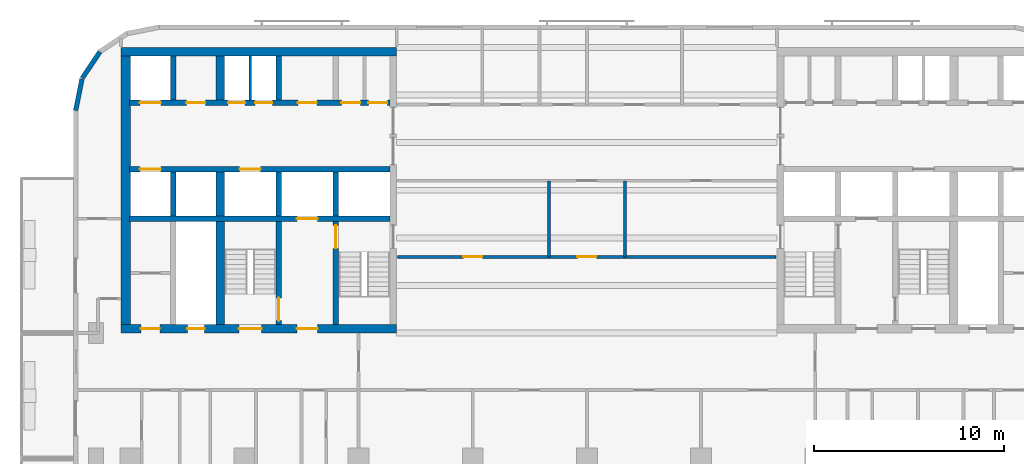
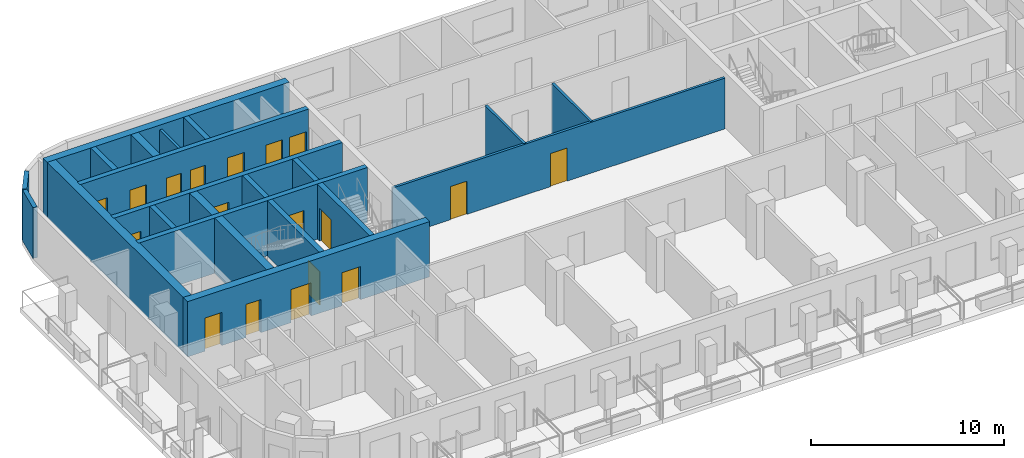
# One storey, part 4 of 12: 22 walls, 18 doors, 18 openings.
"""IFC4 building model written with IfcOpenShell, lengths in metres."""

from ifc_helpers import new_model, si_unit, direction, frame, frame_2d, origin, place, context, subcontext, project, spatial, rectangle, extrude, material, layer, layer_set, type_object, element, fill, save


model = new_model("IFC4")

# Units and contexts
model_context = context("Model", 3, precision=1e-05, world=origin(), true_north=direction((0.0, 1.0)))
body_context = subcontext(model_context, "Body", "Model", "MODEL_VIEW")
ifc_project = project(units=[si_unit("LENGTHUNIT", "METRE"), si_unit("AREAUNIT", "SQUARE_METRE"), si_unit("VOLUMEUNIT", "CUBIC_METRE"), si_unit("PLANEANGLEUNIT", "RADIAN"), si_unit("MASSUNIT", "GRAM", prefix="KILO")], contexts=[model_context])

# Site, building, storey
site_placement = place(None, origin())
site = spatial("IfcSite", under=ifc_project, at=site_placement, CompositionType="ELEMENT")
building_placement = place(site_placement, origin())
building = spatial("IfcBuilding", under=site, at=building_placement, Name="Torana Hotel and Residences", CompositionType="ELEMENT")
storey_placement = place(building_placement, frame((0.0, 0.0, 197.60009765625)))
storey = spatial("IfcBuildingStorey", under=building, at=storey_placement, Name="L51", CompositionType="ELEMENT", Elevation=197.60009765625)

# Wall, openings, doors
ifc_material_1 = material(Name="Concrete C70/85", Category="concrete")
ifc_layer_1 = layer(ifc_material_1, 0.300048828125)
ifc_layer_set_1 = layer_set([ifc_layer_1], Name="CORE WALL 300 C70/85")
wall_type_1 = type_object("IfcWallType", Name="CORE WALL 300 C70/85", PredefinedType="SHEAR", material=ifc_layer_set_1)
wall_1_placement = place(storey_placement, frame((-24.050048828125, -2.89990234375, 0.0), z_axis=(0.0, 0.0, 1.0), x_axis=(1.0, 0.0, 0.0)))
wall_1 = element("IfcWall", 1, at=wall_1_placement, inside=storey, type_object=wall_type_1, Name="Core wall W row-N", PredefinedType="SHEAR", context=body_context, shape_type="SweptSolid", body=[
    extrude(rectangle(XDim=13.699951171875, YDim=0.300048828125, at=frame_2d((6.85009765625, 0.0))), origin(), (0.0, 0.0, 1.0), 3.5),
])
opening_1_placement = place(wall_1_placement, frame((0.550048828125, 0.0, 0.0)))
opening_1 = element("IfcOpeningElement", 2, at=opening_1_placement, cuts=wall_1, Name="Opening LD", PredefinedType="OPENING", context=body_context, shape_type="SweptSolid", body=[
    extrude(rectangle(XDim=1.10009765625, YDim=2.10009765625, at=frame_2d((0.550048828125, 1.050048828125))), frame((0.0, 0.159912109375, 0.0), z_axis=(0.0, -1.0, 0.0), x_axis=(1.0, 0.0, 0.0)), (0.0, 0.0, 1.0), 0.320068359375),
])
opening_2_placement = place(wall_1_placement, frame((6.612548828125, 0.0, 0.0)))
opening_2 = element("IfcOpeningElement", 3, at=opening_2_placement, cuts=wall_1, Name="Opening L51-08", PredefinedType="OPENING", context=body_context, shape_type="SweptSolid", body=[
    extrude(rectangle(XDim=0.89990234375, YDim=2.10009765625, at=frame_2d((0.449951171875, 1.050048828125))), frame((0.0, 0.159912109375, 0.0), z_axis=(0.0, -1.0, 0.0), x_axis=(1.0, 0.0, 0.0)), (0.0, 0.0, 1.0), 0.320068359375),
])
opening_3_placement = place(wall_1_placement, frame((5.1875, 0.0, 0.0)))
opening_3 = element("IfcOpeningElement", 4, at=opening_3_placement, cuts=wall_1, Name="Opening L51-09", PredefinedType="OPENING", context=body_context, shape_type="SweptSolid", body=[
    extrude(rectangle(XDim=0.89990234375, YDim=2.10009765625, at=frame_2d((0.449951171875, 1.050048828125))), frame((0.0, 0.159912109375, 0.0), z_axis=(0.0, -1.0, 0.0), x_axis=(1.0, 0.0, 0.0)), (0.0, 0.0, 1.0), 0.320068359375),
])
opening_4_placement = place(wall_1_placement, frame((12.5625, 0.0, 0.0)))
opening_4 = element("IfcOpeningElement", 5, at=opening_4_placement, cuts=wall_1, Name="Opening L51-10", PredefinedType="OPENING", context=body_context, shape_type="SweptSolid", body=[
    extrude(rectangle(XDim=1.0, YDim=2.10009765625, at=frame_2d((0.5, 1.050048828125))), frame((0.0, 0.159912109375, 0.0), z_axis=(0.0, -1.0, 0.0), x_axis=(1.0, 0.0, 0.0)), (0.0, 0.0, 1.0), 0.320068359375),
])
opening_5_placement = place(wall_1_placement, frame((11.137451171875, 0.0, 0.0)))
opening_5 = element("IfcOpeningElement", 6, at=opening_5_placement, cuts=wall_1, Name="Opening L51-11", PredefinedType="OPENING", context=body_context, shape_type="SweptSolid", body=[
    extrude(rectangle(XDim=1.0, YDim=2.10009765625, at=frame_2d((0.5, 1.050048828125))), frame((0.0, 0.159912109375, 0.0), z_axis=(0.0, -1.0, 0.0), x_axis=(1.0, 0.0, 0.0)), (0.0, 0.0, 1.0), 0.320068359375),
])
opening_6_placement = place(wall_1_placement, frame((8.85009765625, 0.0, 0.0)))
opening_6 = element("IfcOpeningElement", 7, at=opening_6_placement, cuts=wall_1, Name="Opening L51-12", PredefinedType="OPENING", context=body_context, shape_type="SweptSolid", body=[
    extrude(rectangle(XDim=1.0, YDim=2.10009765625, at=frame_2d((0.5, 1.050048828125))), frame((0.0, 0.159912109375, 0.0), z_axis=(0.0, -1.0, 0.0), x_axis=(1.0, 0.0, 0.0)), (0.0, 0.0, 1.0), 0.320068359375),
])
opening_7_placement = place(wall_1_placement, frame((3.0, 0.0, 0.0)))
opening_7 = element("IfcOpeningElement", 8, at=opening_7_placement, cuts=wall_1, Name="Opening L51-13", PredefinedType="OPENING", context=body_context, shape_type="SweptSolid", body=[
    extrude(rectangle(XDim=1.0, YDim=2.10009765625, at=frame_2d((0.5, 1.050048828125))), frame((0.0, 0.159912109375, 0.0), z_axis=(0.0, -1.0, 0.0), x_axis=(1.0, 0.0, 0.0)), (0.0, 0.0, 1.0), 0.320068359375),
])
ifc_material_2 = material(Name="Steel S235", Category="steel")
door_type_1 = type_object("IfcDoorType", Name="CORE ROOM FIRE DOOR D14 1000x2100", OperationType="SINGLE_SWING_LEFT", PredefinedType="DOOR", material=ifc_material_2)
door_1_placement = place(opening_4_placement, origin())
door_1 = element("IfcDoor", 9, at=door_1_placement, inside=storey, type_object=door_type_1, Name="N0A door L51", OperationType="SINGLE_SWING_RIGHT", OverallHeight=2.10009765625, OverallWidth=1.0, PredefinedType="DOOR", context=body_context, shape_type="SweptSolid", body=[
    extrude(rectangle(XDim=1.0, YDim=2.10009765625, at=frame_2d((0.5, 1.050048828125))), frame((0.0, 0.02490234375, 0.0), z_axis=(0.0, -1.0, 0.0), x_axis=(1.0, 0.0, 0.0)), (0.0, 0.0, 1.0), 0.050048828125),
])
fill(opening_4, door_1)
door_2_placement = place(opening_5_placement, origin())
door_2 = element("IfcDoor", 10, at=door_2_placement, inside=storey, type_object=door_type_1, Name="N0B door L51", OperationType="SINGLE_SWING_RIGHT", OverallHeight=2.10009765625, OverallWidth=1.0, PredefinedType="DOOR", context=body_context, shape_type="SweptSolid", body=[
    extrude(rectangle(XDim=1.0, YDim=2.10009765625, at=frame_2d((0.5, 1.050048828125))), frame((0.0, 0.02490234375, 0.0), z_axis=(0.0, -1.0, 0.0), x_axis=(1.0, 0.0, 0.0)), (0.0, 0.0, 1.0), 0.050048828125),
])
fill(opening_5, door_2)
door_3_placement = place(opening_6_placement, origin())
door_3 = element("IfcDoor", 11, at=door_3_placement, inside=storey, type_object=door_type_1, Name="N1 door L51", OperationType="SINGLE_SWING_RIGHT", OverallHeight=2.10009765625, OverallWidth=1.0, PredefinedType="DOOR", context=body_context, shape_type="SweptSolid", body=[
    extrude(rectangle(XDim=1.0, YDim=2.10009765625, at=frame_2d((0.5, 1.050048828125))), frame((0.0, 0.02490234375, 0.0), z_axis=(0.0, -1.0, 0.0), x_axis=(1.0, 0.0, 0.0)), (0.0, 0.0, 1.0), 0.050048828125),
])
fill(opening_6, door_3)
door_4_placement = place(opening_7_placement, origin())
door_4 = element("IfcDoor", 12, at=door_4_placement, inside=storey, type_object=door_type_1, Name="Freed-S1 door L51", OperationType="SINGLE_SWING_RIGHT", OverallHeight=2.10009765625, OverallWidth=1.0, PredefinedType="DOOR", context=body_context, shape_type="SweptSolid", body=[
    extrude(rectangle(XDim=1.0, YDim=2.10009765625, at=frame_2d((0.5, 1.050048828125))), frame((0.0, 0.02490234375, 0.0), z_axis=(0.0, -1.0, 0.0), x_axis=(1.0, 0.0, 0.0)), (0.0, 0.0, 1.0), 0.050048828125),
])
fill(opening_7, door_4)
ifc_material_3 = material(Name="Stainless steel 316", Category="steel")
door_type_2 = type_object("IfcDoorType", Name="LIFT LANDING DOOR LD 1100x2100", OperationType="DOUBLE_DOOR_SLIDING", PredefinedType="USERDEFINED", material=ifc_material_3)
door_5_placement = place(opening_1_placement, origin())
door_5 = element("IfcDoor", 13, at=door_5_placement, inside=storey, type_object=door_type_2, Name="Lift landing door M1 L51", ObjectType="LIFT LANDING DOOR", OperationType="DOUBLE_DOOR_SLIDING", OverallHeight=2.10009765625, OverallWidth=1.10009765625, PredefinedType="USERDEFINED", context=body_context, shape_type="SweptSolid", body=[
    extrude(rectangle(XDim=1.10009765625, YDim=2.10009765625, at=frame_2d((0.550048828125, 1.050048828125))), frame((0.0, 0.02490234375, 0.0), z_axis=(0.0, -1.0, 0.0), x_axis=(1.0, 0.0, 0.0)), (0.0, 0.0, 1.0), 0.050048828125),
])
fill(opening_1, door_5)
ifc_material_4 = material(Name="Steel S235", Category="steel")
door_type_3 = type_object("IfcDoorType", Name="RISER ACCESS DOOR D5 900x2100", OperationType="SINGLE_SWING_LEFT", PredefinedType="DOOR", material=ifc_material_4)
door_6_placement = place(opening_2_placement, origin())
door_6 = element("IfcDoor", 14, at=door_6_placement, inside=storey, type_object=door_type_3, Name="N2A door L51", OperationType="SINGLE_SWING_RIGHT", OverallHeight=2.10009765625, OverallWidth=0.89990234375, PredefinedType="DOOR", context=body_context, shape_type="SweptSolid", body=[
    extrude(rectangle(XDim=0.89990234375, YDim=2.10009765625, at=frame_2d((0.449951171875, 1.050048828125))), frame((0.0, 0.02490234375, 0.0), z_axis=(0.0, -1.0, 0.0), x_axis=(1.0, 0.0, 0.0)), (0.0, 0.0, 1.0), 0.050048828125),
])
fill(opening_2, door_6)
door_7_placement = place(opening_3_placement, origin())
door_7 = element("IfcDoor", 15, at=door_7_placement, inside=storey, type_object=door_type_3, Name="N2B door L51", OperationType="SINGLE_SWING_RIGHT", OverallHeight=2.10009765625, OverallWidth=0.89990234375, PredefinedType="DOOR", context=body_context, shape_type="SweptSolid", body=[
    extrude(rectangle(XDim=0.89990234375, YDim=2.10009765625, at=frame_2d((0.449951171875, 1.050048828125))), frame((0.0, 0.02490234375, 0.0), z_axis=(0.0, -1.0, 0.0), x_axis=(1.0, 0.0, 0.0)), (0.0, 0.0, 1.0), 0.050048828125),
])
fill(opening_3, door_7)

wall_2_placement = place(storey_placement, frame((-24.050048828125, -6.39990234375, 0.0), z_axis=(0.0, 0.0, 1.0), x_axis=(1.0, 0.0, 0.0)))
wall_2 = element("IfcWall", 16, at=wall_2_placement, inside=storey, type_object=wall_type_1, Name="Core wall W row-S", PredefinedType="SHEAR", context=body_context, shape_type="SweptSolid", body=[
    extrude(rectangle(XDim=13.699951171875, YDim=0.300048828125, at=frame_2d((6.85009765625, 0.0))), origin(), (0.0, 0.0, 1.0), 3.5),
])
opening_8_placement = place(wall_2_placement, frame((0.550048828125, 0.0, 0.0)))
opening_8 = element("IfcOpeningElement", 17, at=opening_8_placement, cuts=wall_2, Name="Opening LD", PredefinedType="OPENING", context=body_context, shape_type="SweptSolid", body=[
    extrude(rectangle(XDim=1.10009765625, YDim=2.10009765625, at=frame_2d((0.550048828125, 1.050048828125))), frame((0.0, 0.159912109375, 0.0), z_axis=(0.0, -1.0, 0.0), x_axis=(1.0, 0.0, 0.0)), (0.0, 0.0, 1.0), 0.320068359375),
])
opening_9_placement = place(wall_2_placement, frame((5.800048828125, 0.0, 0.0)))
opening_9 = element("IfcOpeningElement", 18, at=opening_9_placement, cuts=wall_2, Name="Opening LD", PredefinedType="OPENING", context=body_context, shape_type="SweptSolid", body=[
    extrude(rectangle(XDim=1.10009765625, YDim=2.10009765625, at=frame_2d((0.550048828125, 1.050048828125))), frame((0.0, 0.159912109375, 0.0), z_axis=(0.0, -1.0, 0.0), x_axis=(1.0, 0.0, 0.0)), (0.0, 0.0, 1.0), 0.320068359375),
])
door_8_placement = place(opening_8_placement, origin())
door_8 = element("IfcDoor", 19, at=door_8_placement, inside=storey, type_object=door_type_2, Name="Lift landing door M2 L51", ObjectType="LIFT LANDING DOOR", OperationType="DOUBLE_DOOR_SLIDING", OverallHeight=2.10009765625, OverallWidth=1.10009765625, PredefinedType="USERDEFINED", context=body_context, shape_type="SweptSolid", body=[
    extrude(rectangle(XDim=1.10009765625, YDim=2.10009765625, at=frame_2d((0.550048828125, 1.050048828125))), frame((0.0, 0.02490234375, 0.0), z_axis=(0.0, -1.0, 0.0), x_axis=(1.0, 0.0, 0.0)), (0.0, 0.0, 1.0), 0.050048828125),
])
fill(opening_8, door_8)
door_9_placement = place(opening_9_placement, origin())
door_9 = element("IfcDoor", 20, at=door_9_placement, inside=storey, type_object=door_type_2, Name="Lift landing door SV1 L51", ObjectType="LIFT LANDING DOOR", OperationType="DOUBLE_DOOR_SLIDING", OverallHeight=2.10009765625, OverallWidth=1.10009765625, PredefinedType="USERDEFINED", context=body_context, shape_type="SweptSolid", body=[
    extrude(rectangle(XDim=1.10009765625, YDim=2.10009765625, at=frame_2d((0.550048828125, 1.050048828125))), frame((0.0, 0.02490234375, 0.0), z_axis=(0.0, -1.0, 0.0), x_axis=(1.0, 0.0, 0.0)), (0.0, 0.0, 1.0), 0.050048828125),
])
fill(opening_9, door_9)

# Wall, opening, door
wall_3_placement = place(storey_placement, frame((-24.050048828125, -9.0, 0.0), z_axis=(0.0, 0.0, 1.0), x_axis=(1.0, 0.0, 0.0)))
wall_3 = element("IfcWall", 21, at=wall_3_placement, inside=storey, type_object=wall_type_1, Name="Core wall W band", PredefinedType="SHEAR", context=body_context, shape_type="SweptSolid", body=[
    extrude(rectangle(XDim=13.699951171875, YDim=0.300048828125, at=frame_2d((6.85009765625, 0.0))), origin(), (0.0, 0.0, 1.0), 3.5),
])
opening_10_placement = place(wall_3_placement, frame((8.800048828125, 0.0, 0.0)))
opening_10 = element("IfcOpeningElement", 22, at=opening_10_placement, cuts=wall_3, Name="Opening LD", PredefinedType="OPENING", context=body_context, shape_type="SweptSolid", body=[
    extrude(rectangle(XDim=1.10009765625, YDim=2.10009765625, at=frame_2d((0.550048828125, 1.050048828125))), frame((0.0, 0.159912109375, 0.0), z_axis=(0.0, -1.0, 0.0), x_axis=(1.0, 0.0, 0.0)), (0.0, 0.0, 1.0), 0.320068359375),
])
door_10_placement = place(opening_10_placement, origin())
door_10 = element("IfcDoor", 23, at=door_10_placement, inside=storey, type_object=door_type_2, Name="Lift landing door FF1 L51", ObjectType="LIFT LANDING DOOR", OperationType="DOUBLE_DOOR_SLIDING", OverallHeight=2.10009765625, OverallWidth=1.10009765625, PredefinedType="USERDEFINED", context=body_context, shape_type="SweptSolid", body=[
    extrude(rectangle(XDim=1.10009765625, YDim=2.10009765625, at=frame_2d((0.550048828125, 1.050048828125))), frame((0.0, 0.02490234375, 0.0), z_axis=(0.0, -1.0, 0.0), x_axis=(1.0, 0.0, 0.0)), (0.0, 0.0, 1.0), 0.050048828125),
])
fill(opening_10, door_10)

# Wall
wall_4_placement = place(storey_placement, frame((-13.199951171875, -8.85009765625, 0.0), z_axis=(0.0, 0.0, 1.0), x_axis=(0.0, 1.0, 0.0)))
element("IfcWall", 24, at=wall_4_placement, inside=storey, type_object=wall_type_1, Name="Core wall W x3.05-S", PredefinedType="SHEAR", context=body_context, shape_type="SweptSolid", body=[
    extrude(rectangle(XDim=2.300048828125, YDim=0.300048828125, at=frame_2d((1.14990234375, 0.0))), origin(), (0.0, 0.0, 1.0), 3.5),
])

# Wall, opening, door
wall_5_placement = place(storey_placement, frame((-13.199951171875, -14.550048828125, 0.0), z_axis=(0.0, 0.0, 1.0), x_axis=(0.0, 1.0, 0.0)))
wall_5 = element("IfcWall", 25, at=wall_5_placement, inside=storey, type_object=wall_type_1, Name="Core wall W x3.05-band", PredefinedType="SHEAR", context=body_context, shape_type="SweptSolid", body=[
    extrude(rectangle(XDim=5.400146484375, YDim=0.300048828125, at=frame_2d((2.7001953125, 0.0))), origin(), (0.0, 0.0, 1.0), 3.5),
])
opening_11_placement = place(wall_5_placement, frame((4.0, 0.0, 0.0)))
opening_11 = element("IfcOpeningElement", 26, at=opening_11_placement, cuts=wall_5, Name="Opening L51-14", PredefinedType="OPENING", context=body_context, shape_type="SweptSolid", body=[
    extrude(rectangle(XDim=1.199951171875, YDim=2.10009765625, at=frame_2d((0.60009765625, 1.050048828125))), frame((0.0, 0.159912109375, 0.0), z_axis=(0.0, -1.0, 0.0), x_axis=(1.0, 0.0, 0.0)), (0.0, 0.0, 1.0), 0.320068359375),
])
ifc_material_5 = material(Name="Steel S235", Category="steel")
door_type_4 = type_object("IfcDoorType", Name="STAIR FIRE DOOR D3 1200x2100", OperationType="SINGLE_SWING_LEFT", PredefinedType="DOOR", material=ifc_material_5)
door_11_placement = place(opening_11_placement, frame((0.60009765625, 0.0, 0.0), z_axis=(0.0, 0.0, 1.0), x_axis=(-1.0, 0.0, 0.0)))
door_11 = element("IfcDoor", 27, at=door_11_placement, inside=storey, type_object=door_type_4, Name="Stair-A-lobby door L51", OperationType="SINGLE_SWING_RIGHT", OverallHeight=2.10009765625, OverallWidth=1.199951171875, PredefinedType="DOOR", context=body_context, shape_type="SweptSolid", body=[
    extrude(rectangle(XDim=1.199951171875, YDim=2.10009765625, at=frame_2d((0.0, 1.050048828125))), frame((0.0, -0.02490234375, 0.0), z_axis=(0.0, 1.0, 0.0), x_axis=(-1.0, 0.0, 0.0)), (0.0, 0.0, 1.0), 0.050048828125),
])
fill(opening_11, door_11)

# Walls
for number, where, z_axis, x_axis, name in (
    (28, (-16.199951171875, -2.75, 0.0), (0.0, 0.0, 1.0), (0.0, 1.0, 0.0), "Core wall W x6.05-N"),
    (29, (-16.199951171875, -8.85009765625, 0.0), (0.0, 0.0, 1.0), (0.0, 1.0, 0.0), "Core wall W x6.05-S"),
):
    element("IfcWall", number, at=place(storey_placement, frame(where, z_axis=z_axis, x_axis=x_axis)), inside=storey, type_object=wall_type_1, Name=name, PredefinedType="SHEAR", context=body_context, shape_type="SweptSolid", body=[
        extrude(rectangle(XDim=2.300048828125, YDim=0.300048828125, at=frame_2d((1.14990234375, 0.0))), origin(), (0.0, 0.0, 1.0), 3.5),
    ])

# Wall, opening, door
wall_6_placement = place(storey_placement, frame((-16.199951171875, -14.550048828125, 0.0), z_axis=(0.0, 0.0, 1.0), x_axis=(0.0, 1.0, 0.0)))
wall_6 = element("IfcWall", 30, at=wall_6_placement, inside=storey, type_object=wall_type_1, Name="Core wall W x6.05-band", PredefinedType="SHEAR", context=body_context, shape_type="SweptSolid", body=[
    extrude(rectangle(XDim=5.400146484375, YDim=0.300048828125, at=frame_2d((2.7001953125, 0.0))), origin(), (0.0, 0.0, 1.0), 3.5),
])
opening_12_placement = place(wall_6_placement, frame((0.199951171875, 0.0, 0.0)))
opening_12 = element("IfcOpeningElement", 31, at=opening_12_placement, cuts=wall_6, Name="Opening L51-15", PredefinedType="OPENING", context=body_context, shape_type="SweptSolid", body=[
    extrude(rectangle(XDim=1.199951171875, YDim=2.10009765625, at=frame_2d((0.60009765625, 1.050048828125))), frame((0.0, 0.159912109375, 0.0), z_axis=(0.0, -1.0, 0.0), x_axis=(1.0, 0.0, 0.0)), (0.0, 0.0, 1.0), 0.320068359375),
])
door_12_placement = place(opening_12_placement, origin())
door_12 = element("IfcDoor", 32, at=door_12_placement, inside=storey, type_object=door_type_4, Name="Stair-B-lobby door L51", OperationType="SINGLE_SWING_RIGHT", OverallHeight=2.10009765625, OverallWidth=1.199951171875, PredefinedType="DOOR", context=body_context, shape_type="SweptSolid", body=[
    extrude(rectangle(XDim=1.199951171875, YDim=2.10009765625, at=frame_2d((0.60009765625, 1.050048828125))), frame((0.0, 0.02490234375, 0.0), z_axis=(0.0, -1.0, 0.0), x_axis=(1.0, 0.0, 0.0)), (0.0, 0.0, 1.0), 0.050048828125),
])
fill(opening_12, door_12)

# Walls
for number, where, z_axis, x_axis, name in (
    (33, (-21.75, -2.75, 0.0), (0.0, 0.0, 1.0), (0.0, 1.0, 0.0), "Core wall W mm-N"),
    (34, (-21.75, -8.85009765625, 0.0), (0.0, 0.0, 1.0), (0.0, 1.0, 0.0), "Core wall W mm-S"),
):
    element("IfcWall", number, at=place(storey_placement, frame(where, z_axis=z_axis, x_axis=x_axis)), inside=storey, type_object=wall_type_1, Name=name, PredefinedType="SHEAR", context=body_context, shape_type="SweptSolid", body=[
        extrude(rectangle(XDim=2.300048828125, YDim=0.300048828125, at=frame_2d((1.14990234375, 0.0))), origin(), (0.0, 0.0, 1.0), 3.5),
    ])
ifc_material_6 = material(Name="Concrete C70/85", Category="concrete")
ifc_layer_2 = layer(ifc_material_6, 0.449951171875)
ifc_layer_set_2 = layer_set([ifc_layer_2], Name="CORE WALL 450 C70/85")
wall_type_2 = type_object("IfcWallType", Name="CORE WALL 450 C70/85", PredefinedType="SHEAR", material=ifc_layer_set_2)
wall_7_placement = place(storey_placement, frame((-24.5, -0.22509765625, 0.0), z_axis=(0.0, 0.0, 1.0), x_axis=(1.0, 0.0, 0.0)))
element("IfcWall", 35, at=wall_7_placement, inside=storey, type_object=wall_type_2, Name="Core wall W rear", PredefinedType="SHEAR", context=body_context, shape_type="SweptSolid", body=[
    extrude(rectangle(XDim=14.5, YDim=0.449951171875, at=frame_2d((7.25, 0.0))), origin(), (0.0, 0.0, 1.0), 3.5),
])

# Wall, openings, doors
wall_8_placement = place(storey_placement, frame((-24.5, -14.77490234375, 0.0), z_axis=(0.0, 0.0, 1.0), x_axis=(1.0, 0.0, 0.0)))
wall_8 = element("IfcWall", 36, at=wall_8_placement, inside=storey, type_object=wall_type_2, Name="Core wall W front", PredefinedType="SHEAR", context=body_context, shape_type="SweptSolid", body=[
    extrude(rectangle(XDim=14.5, YDim=0.449951171875, at=frame_2d((7.25, 0.0))), origin(), (0.0, 0.0, 1.0), 3.5),
])
opening_13_placement = place(wall_8_placement, frame((6.199951171875, 0.0, 0.0)))
opening_13 = element("IfcOpeningElement", 37, at=opening_13_placement, cuts=wall_8, Name="Opening L51-04", PredefinedType="OPENING", context=body_context, shape_type="SweptSolid", body=[
    extrude(rectangle(XDim=1.199951171875, YDim=2.10009765625, at=frame_2d((0.60009765625, 1.050048828125))), frame((0.0, 0.23486328125, 0.0), z_axis=(0.0, -1.0, 0.0), x_axis=(1.0, 0.0, 0.0)), (0.0, 0.0, 1.0), 0.469970703125),
])
opening_14_placement = place(wall_8_placement, frame((9.25, 0.0, 0.0)))
opening_14 = element("IfcOpeningElement", 38, at=opening_14_placement, cuts=wall_8, Name="Opening L51-05", PredefinedType="OPENING", context=body_context, shape_type="SweptSolid", body=[
    extrude(rectangle(XDim=1.10009765625, YDim=2.10009765625, at=frame_2d((0.550048828125, 1.050048828125))), frame((0.0, 0.23486328125, 0.0), z_axis=(0.0, -1.0, 0.0), x_axis=(1.0, 0.0, 0.0)), (0.0, 0.0, 1.0), 0.469970703125),
])
opening_15_placement = place(wall_8_placement, frame((3.5, 0.0, 0.0)))
opening_15 = element("IfcOpeningElement", 39, at=opening_15_placement, cuts=wall_8, Name="Opening L51-06", PredefinedType="OPENING", context=body_context, shape_type="SweptSolid", body=[
    extrude(rectangle(XDim=0.89990234375, YDim=2.10009765625, at=frame_2d((0.449951171875, 1.050048828125))), frame((0.0, 0.23486328125, 0.0), z_axis=(0.0, -1.0, 0.0), x_axis=(1.0, 0.0, 0.0)), (0.0, 0.0, 1.0), 0.469970703125),
])
opening_16_placement = place(wall_8_placement, frame((1.050048828125, 0.0, 0.0)))
opening_16 = element("IfcOpeningElement", 40, at=opening_16_placement, cuts=wall_8, Name="Opening L51-07", PredefinedType="OPENING", context=body_context, shape_type="SweptSolid", body=[
    extrude(rectangle(XDim=1.0, YDim=2.10009765625, at=frame_2d((0.5, 1.050048828125))), frame((0.0, 0.23486328125, 0.0), z_axis=(0.0, -1.0, 0.0), x_axis=(1.0, 0.0, 0.0)), (0.0, 0.0, 1.0), 0.469970703125),
])
door_13_placement = place(opening_16_placement, origin())
door_13 = element("IfcDoor", 41, at=door_13_placement, inside=storey, type_object=door_type_1, Name="M-Room-B door L51", OperationType="SINGLE_SWING_RIGHT", OverallHeight=2.10009765625, OverallWidth=1.0, PredefinedType="DOOR", context=body_context, shape_type="SweptSolid", body=[
    extrude(rectangle(XDim=1.0, YDim=2.10009765625, at=frame_2d((0.5, 1.050048828125))), frame((0.0, 0.02490234375, 0.0), z_axis=(0.0, -1.0, 0.0), x_axis=(1.0, 0.0, 0.0)), (0.0, 0.0, 1.0), 0.050048828125),
])
fill(opening_16, door_13)
ifc_material_7 = material(Name="Steel S235", Category="steel")
door_type_5 = type_object("IfcDoorType", Name="FIRE-FIGHTING LOBBY DOOR D8 1100x2100", OperationType="SINGLE_SWING_LEFT", PredefinedType="DOOR", material=ifc_material_7)
door_14_placement = place(opening_14_placement, origin())
door_14 = element("IfcDoor", 42, at=door_14_placement, inside=storey, type_object=door_type_5, Name="FF-lobby door L51", OperationType="SINGLE_SWING_RIGHT", OverallHeight=2.10009765625, OverallWidth=1.10009765625, PredefinedType="DOOR", context=body_context, shape_type="SweptSolid", body=[
    extrude(rectangle(XDim=1.10009765625, YDim=2.10009765625, at=frame_2d((0.550048828125, 1.050048828125))), frame((0.0, 0.02490234375, 0.0), z_axis=(0.0, -1.0, 0.0), x_axis=(1.0, 0.0, 0.0)), (0.0, 0.0, 1.0), 0.050048828125),
])
fill(opening_14, door_14)
door_15_placement = place(opening_15_placement, origin())
door_15 = element("IfcDoor", 43, at=door_15_placement, inside=storey, type_object=door_type_3, Name="M-Riser door L51", OperationType="SINGLE_SWING_RIGHT", OverallHeight=2.10009765625, OverallWidth=0.89990234375, PredefinedType="DOOR", context=body_context, shape_type="SweptSolid", body=[
    extrude(rectangle(XDim=0.89990234375, YDim=2.10009765625, at=frame_2d((0.449951171875, 1.050048828125))), frame((0.0, 0.02490234375, 0.0), z_axis=(0.0, -1.0, 0.0), x_axis=(1.0, 0.0, 0.0)), (0.0, 0.0, 1.0), 0.050048828125),
])
fill(opening_15, door_15)
door_16_placement = place(opening_13_placement, origin())
door_16 = element("IfcDoor", 44, at=door_16_placement, inside=storey, type_object=door_type_4, Name="Stair-B door L51", OperationType="SINGLE_SWING_RIGHT", OverallHeight=2.10009765625, OverallWidth=1.199951171875, PredefinedType="DOOR", context=body_context, shape_type="SweptSolid", body=[
    extrude(rectangle(XDim=1.199951171875, YDim=2.10009765625, at=frame_2d((0.60009765625, 1.050048828125))), frame((0.0, 0.02490234375, 0.0), z_axis=(0.0, -1.0, 0.0), x_axis=(1.0, 0.0, 0.0)), (0.0, 0.0, 1.0), 0.050048828125),
])
fill(opening_13, door_16)

# Walls
for number, where, z_axis, x_axis, name in (
    (45, (-19.27490234375, -2.75, 0.0), (0.0, 0.0, 1.0), (0.0, 1.0, 0.0), "Core wall W hm-N"),
    (46, (-19.27490234375, -8.85009765625, 0.0), (0.0, 0.0, 1.0), (0.0, 1.0, 0.0), "Core wall W hm-S"),
):
    element("IfcWall", number, at=place(storey_placement, frame(where, z_axis=z_axis, x_axis=x_axis)), inside=storey, type_object=wall_type_2, Name=name, PredefinedType="SHEAR", context=body_context, shape_type="SweptSolid", body=[
        extrude(rectangle(XDim=2.300048828125, YDim=0.449951171875, at=frame_2d((1.14990234375, 0.0))), origin(), (0.0, 0.0, 1.0), 3.5),
    ])
wall_9_placement = place(storey_placement, frame((-19.27490234375, -14.550048828125, 0.0), z_axis=(0.0, 0.0, 1.0), x_axis=(0.0, 1.0, 0.0)))
element("IfcWall", 47, at=wall_9_placement, inside=storey, type_object=wall_type_2, Name="Core wall W hm-band", PredefinedType="SHEAR", context=body_context, shape_type="SweptSolid", body=[
    extrude(rectangle(XDim=5.400146484375, YDim=0.449951171875, at=frame_2d((2.7001953125, 0.0))), origin(), (0.0, 0.0, 1.0), 3.5),
])
ifc_material_8 = material(Name="Concrete C70/85", Category="concrete")
ifc_layer_3 = layer(ifc_material_8, 0.5)
ifc_layer_set_3 = layer_set([ifc_layer_3], Name="CORE WALL 500 C70/85")
wall_type_3 = type_object("IfcWallType", Name="CORE WALL 500 C70/85", PredefinedType="SHEAR", material=ifc_layer_set_3)
wall_10_placement = place(storey_placement, frame((-24.25, -14.550048828125, 0.0), z_axis=(0.0, 0.0, 1.0), x_axis=(0.0, 1.0, 0.0)))
element("IfcWall", 48, at=wall_10_placement, inside=storey, type_object=wall_type_3, Name="Core wall W outer", PredefinedType="SHEAR", context=body_context, shape_type="SweptSolid", body=[
    extrude(rectangle(XDim=14.10009765625, YDim=0.5, at=frame_2d((7.050048828125, 0.0))), origin(), (0.0, 0.0, 1.0), 3.5),
])
ifc_material_9 = material(Name="Black aluminium composite panel", Category="aluminium")
ifc_layer_4 = layer(ifc_material_9, 0.00390625, Name="Cladding", Category="cladding")
ifc_material_10 = material(Name="Ventilated air cavity")
ifc_layer_5 = layer(ifc_material_10, 0.0400390625, Name="Ventilated cavity", Category="cavity")
ifc_material_11 = material(Name="Mineral wool insulation")
ifc_layer_6 = layer(ifc_material_11, 0.090087890625, Name="Insulation", Category="insulation")
ifc_material_12 = material(Name="Steel S280GD", Category="steel")
ifc_layer_7 = layer(ifc_material_12, 0.092041015625, Name="Steel stud frame", Category="structure")
ifc_material_13 = material(Name="Fire rated plasterboard")
ifc_layer_8 = layer(ifc_material_13, 0.011962890625, Name="Inner board", Category="finish")
ifc_layer_9 = layer(ifc_material_13, 0.011962890625, Name="Second board", Category="finish")
ifc_layer_set_4 = layer_set([ifc_layer_4, ifc_layer_5, ifc_layer_6, ifc_layer_7, ifc_layer_8, ifc_layer_9], Name="EW1 EXTERNAL WALL BLACK METAL CLAD 250")
wall_type_4 = type_object("IfcWallType", Name="EW1 EXTERNAL WALL BLACK METAL CLAD 250", PredefinedType="SOLIDWALL", material=ifc_layer_set_4)
wall_11_placement = place(storey_placement, frame((-25.605712890625, -0.228759765625, 0.0), z_axis=(0.0, 0.0, 1.0), x_axis=(-0.55555029066, -0.831482937015, 0.0)))
element("IfcWall", 49, at=wall_11_placement, inside=storey, type_object=wall_type_4, Name="External wall L51 e0.7", PredefinedType="SOLIDWALL", context=body_context, shape_type="SweptSolid", body=[
    extrude(rectangle(XDim=1.65625, YDim=0.25, at=frame_2d((0.828125, 0.0))), origin(), (0.0, 0.0, 1.0), 3.219970703125),
])
wall_12_placement = place(storey_placement, frame((-26.544677734375, -1.651123046875, 0.0), z_axis=(0.0, 0.0, 1.0), x_axis=(-0.194999110559, -0.980803419081, 0.0)))
element("IfcWall", 50, at=wall_12_placement, inside=storey, type_object=wall_type_4, Name="External wall L51 e0.8", PredefinedType="SOLIDWALL", context=body_context, shape_type="SweptSolid", body=[
    extrude(rectangle(XDim=1.681396484375, YDim=0.25, at=frame_2d((0.8408203125, 0.0))), origin(), (0.0, 0.0, 1.0), 3.219970703125),
])
ifc_material_14 = material(Name="Gypsum plaster")
ifc_layer_10 = layer(ifc_material_14, 0.014892578125, Name="Plaster", Category="finish")
ifc_material_15 = material(Name="Concrete blockwork", Category="masonry")
ifc_layer_11 = layer(ifc_material_15, 0.1201171875, Name="Blockwork", Category="structure")
ifc_layer_12 = layer(ifc_material_14, 0.014892578125, Name="Plaster", Category="finish")
ifc_layer_set_5 = layer_set([ifc_layer_10, ifc_layer_11, ifc_layer_12], Name="FIRE PARTITION 150 BLOCKWORK")
wall_type_5 = type_object("IfcWallType", Name="FIRE PARTITION 150 BLOCKWORK", PredefinedType="PARTITIONING", material=ifc_layer_set_5)
wall_13_placement = place(storey_placement, frame((-17.699951171875, -2.75, 0.0), z_axis=(0.0, 0.0, 1.0), x_axis=(0.0, 1.0, 0.0)))
element("IfcWall", 51, at=wall_13_placement, inside=storey, type_object=wall_type_5, Name="Core partition L51", PredefinedType="PARTITIONING", context=body_context, shape_type="SweptSolid", body=[
    extrude(rectangle(XDim=2.300048828125, YDim=0.14990234375, at=frame_2d((1.14990234375, 0.0))), origin(), (0.0, 0.0, 1.0), 3.199951171875),
])
for number, where, z_axis, x_axis, name in (
    (52, (2.0, -11.0, 0.0), (0.0, 0.0, 1.0), (0.0, 1.0, 0.0), "Partition L51"),
    (53, (-2.0, -11.0, 0.0), (0.0, 0.0, 1.0), (0.0, 1.0, 0.0), "Partition L51"),
):
    element("IfcWall", number, at=place(storey_placement, frame(where, z_axis=z_axis, x_axis=x_axis)), inside=storey, type_object=wall_type_5, Name=name, PredefinedType="PARTITIONING", context=body_context, shape_type="SweptSolid", body=[
        extrude(rectangle(XDim=4.0, YDim=0.14990234375, at=frame_2d((2.0, 0.0))), origin(), (0.0, 0.0, 1.0), 3.219970703125),
    ])

# Wall, openings, doors
wall_14_placement = place(storey_placement, frame((-9.949951171875, -11.0, 0.0), z_axis=(0.0, 0.0, 1.0), x_axis=(1.0, 0.0, 0.0)))
wall_14 = element("IfcWall", 54, at=wall_14_placement, inside=storey, type_object=wall_type_5, Name="Partition L51", PredefinedType="PARTITIONING", context=body_context, shape_type="SweptSolid", body=[
    extrude(rectangle(XDim=19.89990234375, YDim=0.14990234375, at=frame_2d((9.949951171875, 0.0))), origin(), (0.0, 0.0, 1.0), 3.219970703125),
])
opening_17_placement = place(wall_14_placement, frame((9.449951171875, 0.0, 0.0)))
opening_17 = element("IfcOpeningElement", 55, at=opening_17_placement, cuts=wall_14, Name="Opening L51-43", PredefinedType="OPENING", context=body_context, shape_type="SweptSolid", body=[
    extrude(rectangle(XDim=1.0, YDim=2.10009765625, at=frame_2d((0.5, 1.050048828125))), frame((0.0, 0.0849609375, 0.0), z_axis=(0.0, -1.0, 0.0), x_axis=(1.0, 0.0, 0.0)), (0.0, 0.0, 1.0), 0.169921875),
])
opening_18_placement = place(wall_14_placement, frame((3.449951171875, 0.0, 0.0)))
opening_18 = element("IfcOpeningElement", 56, at=opening_18_placement, cuts=wall_14, Name="Opening L51-48", PredefinedType="OPENING", context=body_context, shape_type="SweptSolid", body=[
    extrude(rectangle(XDim=1.0, YDim=2.10009765625, at=frame_2d((0.5, 1.050048828125))), frame((0.0, 0.0849609375, 0.0), z_axis=(0.0, -1.0, 0.0), x_axis=(1.0, 0.0, 0.0)), (0.0, 0.0, 1.0), 0.169921875),
])
ifc_material_16 = material(Name="Steel S235", Category="steel")
door_type_6 = type_object("IfcDoorType", Name="ENTRY FIRE DOOR D6 1000x2100", OperationType="SINGLE_SWING_LEFT", PredefinedType="DOOR", material=ifc_material_16)
door_17_placement = place(opening_17_placement, origin())
door_17 = element("IfcDoor", 57, at=door_17_placement, inside=storey, type_object=door_type_6, Name="Door L51", OperationType="SINGLE_SWING_RIGHT", OverallHeight=2.10009765625, OverallWidth=1.0, PredefinedType="DOOR", context=body_context, shape_type="SweptSolid", body=[
    extrude(rectangle(XDim=1.0, YDim=2.10009765625, at=frame_2d((0.5, 1.050048828125))), frame((0.0, 0.02490234375, 0.0), z_axis=(0.0, -1.0, 0.0), x_axis=(1.0, 0.0, 0.0)), (0.0, 0.0, 1.0), 0.050048828125),
])
fill(opening_17, door_17)
door_18_placement = place(opening_18_placement, origin())
door_18 = element("IfcDoor", 58, at=door_18_placement, inside=storey, type_object=door_type_6, Name="Door L51", OperationType="SINGLE_SWING_RIGHT", OverallHeight=2.10009765625, OverallWidth=1.0, PredefinedType="DOOR", context=body_context, shape_type="SweptSolid", body=[
    extrude(rectangle(XDim=1.0, YDim=2.10009765625, at=frame_2d((0.5, 1.050048828125))), frame((0.0, 0.02490234375, 0.0), z_axis=(0.0, -1.0, 0.0), x_axis=(1.0, 0.0, 0.0)), (0.0, 0.0, 1.0), 0.050048828125),
])
fill(opening_18, door_18)

save(model, "model.ifc")
